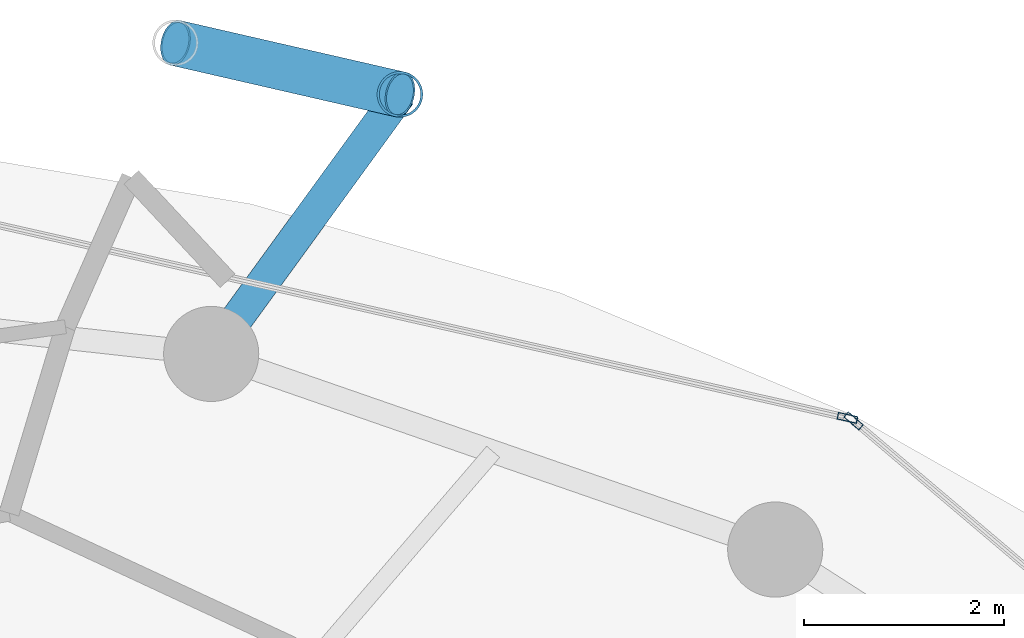
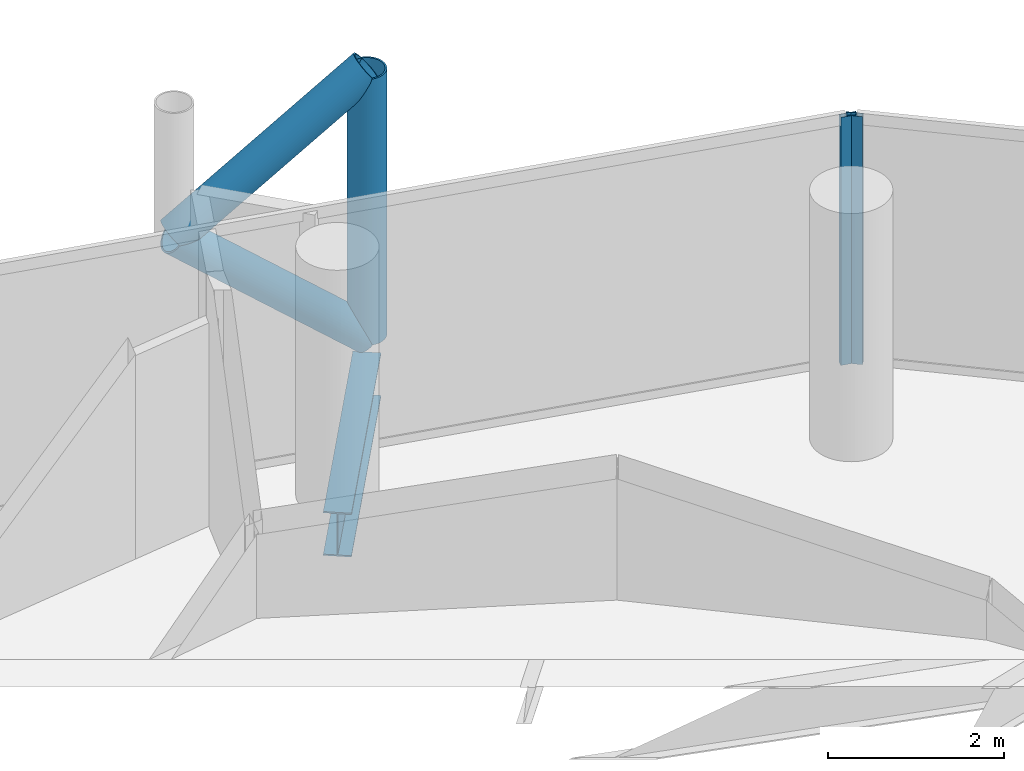
# One storey, part 20 of 26: 5 members, 1 beam, 2 elements without a shape of their own.
"""IFC4 building model written with IfcOpenShell, lengths in metres."""

from ifc_helpers import new_model, si_unit, direction, frame, origin, origin_2d, place, context, subcontext, project, spatial, hollow_rectangle, hollow_circle, i_section, extrude, material, layer, layer_set, material_profile, profile_set, type_object, element, aggregate, save


model = new_model("IFC4")

# Units and contexts
model_context = context("Model", 3, precision=1e-05, world=origin(), true_north=direction((0.0, 1.0)))
body_context = subcontext(model_context, "Body", "Model", "MODEL_VIEW")
ifc_project = project(units=[si_unit("LENGTHUNIT", "METRE"), si_unit("AREAUNIT", "SQUARE_METRE"), si_unit("VOLUMEUNIT", "CUBIC_METRE"), si_unit("PLANEANGLEUNIT", "RADIAN"), si_unit("MASSUNIT", "GRAM", prefix="KILO")], contexts=[model_context])

# Site, building, storey
site_placement = place(None, origin())
site = spatial("IfcSite", under=ifc_project, at=site_placement, CompositionType="ELEMENT")
building_placement = place(site_placement, origin())
building = spatial("IfcBuilding", under=site, at=building_placement, Name="Nuhasar Tower", CompositionType="ELEMENT")
storey_placement = place(building_placement, frame((0.0, 0.0, 162.64990234375)))
storey = spatial("IfcBuildingStorey", under=building, at=storey_placement, Name="L39", CompositionType="ELEMENT", Elevation=162.64990234375)

# Beam
ifc_material_1 = material(Name="Steel S355", Category="steel")
ifc_material_profile_1 = material_profile(ifc_material_1, i_section(OverallWidth=0.323974609375, OverallDepth=0.611083984375, WebThickness=0.0126953125, FlangeThickness=0.01904296875, at=origin_2d()), Name="W24X104")
ifc_profile_set_1 = profile_set([ifc_material_profile_1], Name="Steel S355")
beam_type = type_object("IfcBeamType", Name="BM-TIE-W24X104", PredefinedType="BEAM", material=ifc_profile_set_1)
beam_placement = place(storey_placement, frame((45.04296875, 45.68408203125, -0.554931640625), z_axis=(0.588185286445, 0.808726201387, 0.0), x_axis=(-0.808726201387, 0.588185286445, 0.0)))
element("IfcBeam", 1, at=beam_placement, inside=storey, type_object=beam_type, Name="L39 Exoskeleton Node Tie Beam 03", PredefinedType="BEAM", context=body_context, shape_type="SweptSolid", body=[
    extrude(i_section(OverallWidth=0.323974609375, OverallDepth=0.611083984375, WebThickness=0.0126953125, FlangeThickness=0.01904296875, at=origin_2d()), origin(), (0.0, 0.0, 1.0), 3.204833984375),
])

# Curtain wall, member
ifc_material_2 = material(Name="Aluminium 6063-T6", Category="aluminium")
ifc_layer = layer(ifc_material_2, 0.199951171875)
ifc_layer_set = layer_set([ifc_layer], Name="Aluminium 6063-T6")
curtain_wall_type = type_object("IfcCurtainWallType", Name="CW-Z2-HTL", PredefinedType="NOTDEFINED", material=ifc_layer_set)
curtain_wall_1_placement = place(storey_placement, origin())
curtain_wall_1 = element("IfcCurtainWall", 2, at=curtain_wall_1_placement, inside=storey, type_object=curtain_wall_type, Name="L39 Unitised Curtain Wall 02", PredefinedType="NOTDEFINED")
ifc_material_profile_2 = material_profile(ifc_material_2, hollow_rectangle(XDim=0.070068359375, YDim=0.199951171875, WallThickness=0.0048828125, at=origin_2d()), Name="CWM-3")
ifc_profile_set_2 = profile_set([ifc_material_profile_2], Name="Aluminium 6063-T6")
member_type_1 = type_object("IfcMemberType", Name="CW-MUL-S3", PredefinedType="MULLION", material=ifc_profile_set_2)
member_1_placement = place(storey_placement, frame((51.456787109375, 45.015380859375, 0.0), z_axis=(0.0, 0.0, 1.0), x_axis=(-0.646374438324, -0.763020370292, 0.0)))
member_1 = element("IfcMember", 3, at=member_1_placement, type_object=member_type_1, Name="CW-Z2 mullion 2", PredefinedType="MULLION", context=body_context, shape_type="SweptSolid", body=[
    extrude(hollow_rectangle(XDim=0.070068359375, YDim=0.199951171875, WallThickness=0.0048828125, at=origin_2d()), origin(), (0.0, 0.0, 1.0), 3.4501953125),
])
aggregate(curtain_wall_1, [member_1])

curtain_wall_2_placement = place(storey_placement, origin())
curtain_wall_2 = element("IfcCurtainWall", 4, at=curtain_wall_2_placement, inside=storey, type_object=curtain_wall_type, Name="L39 Unitised Curtain Wall 03", PredefinedType="NOTDEFINED")
member_2_placement = place(storey_placement, frame((51.395751953125, 45.045654296875, 0.0), z_axis=(0.0, 0.0, 1.0), x_axis=(-0.22139729566, -0.975183694221, 0.0)))
member_2 = element("IfcMember", 5, at=member_2_placement, type_object=member_type_1, Name="CW-Z2 mullion 1", PredefinedType="MULLION", context=body_context, shape_type="SweptSolid", body=[
    extrude(hollow_rectangle(XDim=0.070068359375, YDim=0.199951171875, WallThickness=0.0048828125, at=origin_2d()), origin(), (0.0, 0.0, 1.0), 3.4501953125),
])
aggregate(curtain_wall_2, [member_2])

# Members
ifc_material_3 = material(Name="Steel S460", Category="steel")
ifc_material_profile_3 = material_profile(ifc_material_3, hollow_circle(Radius=0.228515625, WallThickness=0.022216796875, at=origin_2d()), Name="HSS457X22.2")
ifc_profile_set_3 = profile_set([ifc_material_profile_3], Name="Steel S460")
member_type_2 = type_object("IfcMemberType", Name="EXO-BRONZE-457", PredefinedType="BRACE", material=ifc_profile_set_3)
member_3_placement = place(storey_placement, frame((46.927978515625, 48.27587890625, 0.0), z_axis=(0.0, 0.0, 1.0), x_axis=(1.0, 0.0, 0.0)))
element("IfcMember", 6, at=member_3_placement, inside=storey, type_object=member_type_2, Name="L39 Exoskeleton Chord Column EC-03A", PredefinedType="BRACE", context=body_context, shape_type="SweptSolid", body=[
    extrude(hollow_circle(Radius=0.228515625, WallThickness=0.022216796875, at=origin_2d()), origin(), (0.0, 0.0, 1.0), 3.7001953125),
])
for number, where, z_axis, x_axis, name in (
    (7, (46.927978515625, 48.27587890625, 0.0), (-0.759499549084, 0.174181209885, 0.626754609927), (-0.223533724104, -0.974696195842, 0.0), "L39 Bronze Diagrid Brace W1-03"),
    (8, (44.68603515625, 48.7900390625, 1.85009765625), (0.759499549084, -0.174181209885, 0.626754609927), (0.223533724104, 0.974696195842, 0.0), "L39 Bronze Diagrid Brace W2-03"),
):
    element("IfcMember", number, at=place(storey_placement, frame(where, z_axis=z_axis, x_axis=x_axis)), inside=storey, type_object=member_type_2, Name=name, PredefinedType="BRACE", context=body_context, shape_type="SweptSolid", body=[
        extrude(hollow_circle(Radius=0.228515625, WallThickness=0.022216796875, at=origin_2d()), origin(), (0.0, 0.0, 1.0), 2.951904296875),
    ])

save(model, "model.ifc")
